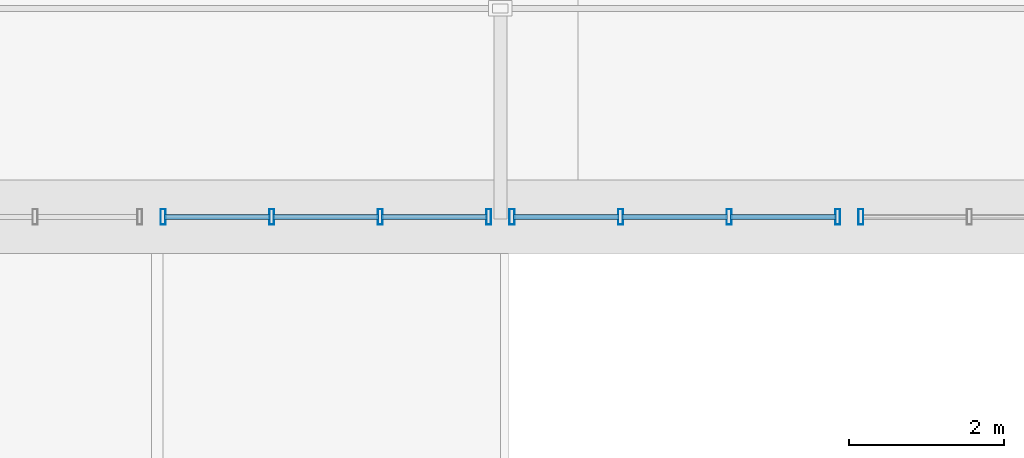
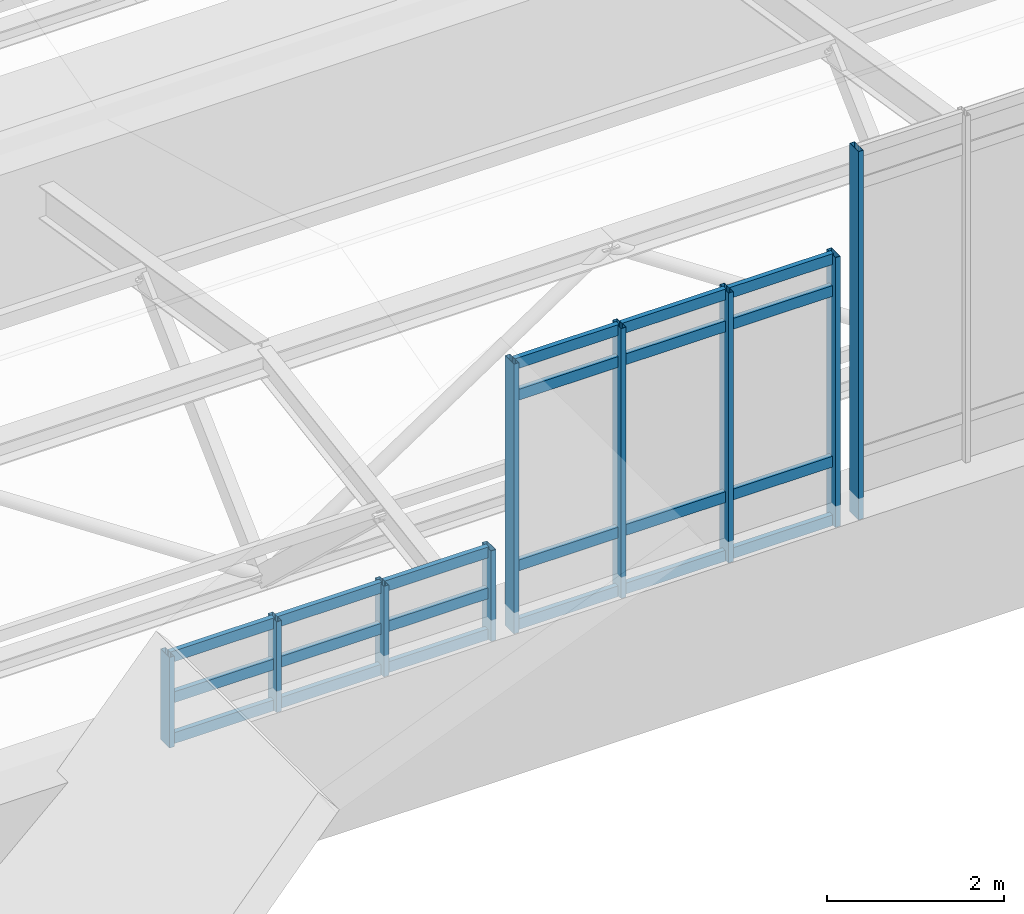
# One storey, part 48 of 82: 30 members, 3 elements without a shape of their own.
"""IFC4 building model written with IfcOpenShell, lengths in metres."""

from ifc_helpers import new_model, si_unit, direction, frame, origin, origin_2d, place, context, subcontext, project, spatial, hollow_rectangle, extrude, material, layer, layer_set, material_profile, profile_set, type_object, element, aggregate, save


model = new_model("IFC4")

# Units and contexts
model_context = context("Model", 3, precision=1e-05, world=origin(), true_north=direction((0.0, 1.0)))
body_context = subcontext(model_context, "Body", "Model", "MODEL_VIEW")
ifc_project = project(units=[si_unit("LENGTHUNIT", "METRE"), si_unit("AREAUNIT", "SQUARE_METRE"), si_unit("VOLUMEUNIT", "CUBIC_METRE"), si_unit("PLANEANGLEUNIT", "RADIAN"), si_unit("MASSUNIT", "GRAM", prefix="KILO")], contexts=[model_context])

# Site, building, storey
site_placement = place(None, origin())
site = spatial("IfcSite", under=ifc_project, at=site_placement, CompositionType="ELEMENT")
building_placement = place(site_placement, origin())
building = spatial("IfcBuilding", under=site, at=building_placement, Name="Mersad Railyard Sports Hall", CompositionType="ELEMENT")
storey_placement = place(building_placement, frame((0.0, 0.0, 13.199951171875)))
storey = spatial("IfcBuildingStorey", under=building, at=storey_placement, Name="L03", CompositionType="ELEMENT", Elevation=13.199951171875)

# Curtain wall, members
ifc_material = material(Name="Aluminium 6063-T6", Category="aluminium")
ifc_layer_1 = layer(ifc_material, 0.199951171875)
ifc_layer_set_1 = layer_set([ifc_layer_1], Name="Aluminium 6063-T6")
curtain_wall_type_1 = type_object("IfcCurtainWallType", Name="ARC-CW-CW43", PredefinedType="USERDEFINED", material=ifc_layer_set_1)
curtain_wall_1_placement = place(storey_placement, origin())
curtain_wall_1 = element("IfcCurtainWall", 1, at=curtain_wall_1_placement, inside=storey, type_object=curtain_wall_type_1, Name="Curtain wall CW43-0115", ObjectType="CURTAIN WALL", PredefinedType="USERDEFINED")
ifc_material_profile_1 = material_profile(ifc_material, hollow_rectangle(XDim=0.06494140625, YDim=0.199951171875, WallThickness=0.0048828125, at=origin_2d()), Name="AL MULLION 65x200x5")
ifc_profile_set_1 = profile_set([ifc_material_profile_1], Name="Aluminium 6063-T6")
member_type_1 = type_object("IfcMemberType", Name="ARC-CW-MUL02", PredefinedType="MULLION", material=ifc_profile_set_1)
member_1_placement = place(storey_placement, frame((141.64990234375, 73.5, 1.330078125), z_axis=(0.0, 0.0, 1.0), x_axis=(1.0, 0.0, 0.0)))
member_1 = element("IfcMember", 2, at=member_1_placement, type_object=member_type_1, Name="CW43 Mullion 1", PredefinedType="MULLION", context=body_context, shape_type="SweptSolid", body=[
    extrude(hollow_rectangle(XDim=0.06494140625, YDim=0.199951171875, WallThickness=0.0048828125, at=origin_2d()), origin(), (0.0, 0.0, 1.0), 1.251953125),
])
member_2_placement = place(storey_placement, frame((143.050048828125, 73.5, 1.330078125), z_axis=(0.0, 0.0, 1.0), x_axis=(1.0, 0.0, 0.0)))
member_2 = element("IfcMember", 3, at=member_2_placement, type_object=member_type_1, Name="CW43 Mullion 2", PredefinedType="MULLION", context=body_context, shape_type="SweptSolid", body=[
    extrude(hollow_rectangle(XDim=0.06494140625, YDim=0.199951171875, WallThickness=0.0048828125, at=origin_2d()), origin(), (0.0, 0.0, 1.0), 1.251953125),
])
member_3_placement = place(storey_placement, frame((144.449951171875, 73.5, 1.330078125), z_axis=(0.0, 0.0, 1.0), x_axis=(1.0, 0.0, 0.0)))
member_3 = element("IfcMember", 4, at=member_3_placement, type_object=member_type_1, Name="CW43 Mullion 3", PredefinedType="MULLION", context=body_context, shape_type="SweptSolid", body=[
    extrude(hollow_rectangle(XDim=0.06494140625, YDim=0.199951171875, WallThickness=0.0048828125, at=origin_2d()), origin(), (0.0, 0.0, 1.0), 1.251953125),
])
member_4_placement = place(storey_placement, frame((145.85009765625, 73.5, 1.330078125), z_axis=(0.0, 0.0, 1.0), x_axis=(1.0, 0.0, 0.0)))
member_4 = element("IfcMember", 5, at=member_4_placement, type_object=member_type_1, Name="CW43 Mullion 4", PredefinedType="MULLION", context=body_context, shape_type="SweptSolid", body=[
    extrude(hollow_rectangle(XDim=0.06494140625, YDim=0.199951171875, WallThickness=0.0048828125, at=origin_2d()), origin(), (0.0, 0.0, 1.0), 1.251953125),
])

ifc_layer_2 = layer(ifc_material, 0.199951171875)
ifc_layer_set_2 = layer_set([ifc_layer_2], Name="Aluminium 6063-T6")
curtain_wall_type_2 = type_object("IfcCurtainWallType", Name="ARC-CW-CW45", PredefinedType="USERDEFINED", material=ifc_layer_set_2)
curtain_wall_2_placement = place(storey_placement, origin())
curtain_wall_2 = element("IfcCurtainWall", 6, at=curtain_wall_2_placement, inside=storey, type_object=curtain_wall_type_2, Name="Curtain wall CW45-0117", ObjectType="CURTAIN WALL", PredefinedType="USERDEFINED")
member_5_placement = place(storey_placement, frame((146.14990234375, 73.5, 1.330078125), z_axis=(0.0, 0.0, 1.0), x_axis=(1.0, 0.0, 0.0)))
member_5 = element("IfcMember", 7, at=member_5_placement, type_object=member_type_1, Name="CW45 Mullion 1", PredefinedType="MULLION", context=body_context, shape_type="SweptSolid", body=[
    extrude(hollow_rectangle(XDim=0.06494140625, YDim=0.199951171875, WallThickness=0.0048828125, at=origin_2d()), origin(), (0.0, 0.0, 1.0), 3.72705078125),
])
member_6_placement = place(storey_placement, frame((147.550048828125, 73.5, 1.330078125), z_axis=(0.0, 0.0, 1.0), x_axis=(1.0, 0.0, 0.0)))
member_6 = element("IfcMember", 8, at=member_6_placement, type_object=member_type_1, Name="CW45 Mullion 2", PredefinedType="MULLION", context=body_context, shape_type="SweptSolid", body=[
    extrude(hollow_rectangle(XDim=0.06494140625, YDim=0.199951171875, WallThickness=0.0048828125, at=origin_2d()), origin(), (0.0, 0.0, 1.0), 3.72705078125),
])
member_7_placement = place(storey_placement, frame((148.949951171875, 73.5, 1.330078125), z_axis=(0.0, 0.0, 1.0), x_axis=(1.0, 0.0, 0.0)))
member_7 = element("IfcMember", 9, at=member_7_placement, type_object=member_type_1, Name="CW45 Mullion 3", PredefinedType="MULLION", context=body_context, shape_type="SweptSolid", body=[
    extrude(hollow_rectangle(XDim=0.06494140625, YDim=0.199951171875, WallThickness=0.0048828125, at=origin_2d()), origin(), (0.0, 0.0, 1.0), 3.72705078125),
])
member_8_placement = place(storey_placement, frame((150.35009765625, 73.5, 1.330078125), z_axis=(0.0, 0.0, 1.0), x_axis=(1.0, 0.0, 0.0)))
member_8 = element("IfcMember", 10, at=member_8_placement, type_object=member_type_1, Name="CW45 Mullion 4", PredefinedType="MULLION", context=body_context, shape_type="SweptSolid", body=[
    extrude(hollow_rectangle(XDim=0.06494140625, YDim=0.199951171875, WallThickness=0.0048828125, at=origin_2d()), origin(), (0.0, 0.0, 1.0), 3.72705078125),
])

# Curtain wall, member
ifc_layer_3 = layer(ifc_material, 0.199951171875)
ifc_layer_set_3 = layer_set([ifc_layer_3], Name="Aluminium 6063-T6")
curtain_wall_type_3 = type_object("IfcCurtainWallType", Name="ARC-CW-CW47", PredefinedType="USERDEFINED", material=ifc_layer_set_3)
curtain_wall_3_placement = place(storey_placement, origin())
curtain_wall_3 = element("IfcCurtainWall", 11, at=curtain_wall_3_placement, inside=storey, type_object=curtain_wall_type_3, Name="Curtain wall CW47-0119", ObjectType="CURTAIN WALL", PredefinedType="USERDEFINED")
member_9_placement = place(storey_placement, frame((150.64990234375, 73.5, 1.330078125), z_axis=(0.0, 0.0, 1.0), x_axis=(1.0, 0.0, 0.0)))
member_9 = element("IfcMember", 12, at=member_9_placement, type_object=member_type_1, Name="CW47 Mullion 1", PredefinedType="MULLION", context=body_context, shape_type="SweptSolid", body=[
    extrude(hollow_rectangle(XDim=0.06494140625, YDim=0.199951171875, WallThickness=0.0048828125, at=origin_2d()), origin(), (0.0, 0.0, 1.0), 5.0849609375),
])
aggregate(curtain_wall_3, [member_9])

# Member
ifc_material_profile_2 = material_profile(ifc_material, hollow_rectangle(XDim=0.06494140625, YDim=0.14990234375, WallThickness=0.00439453125, at=origin_2d()), Name="AL TRANSOM 65x150x4.5")
ifc_profile_set_2 = profile_set([ifc_material_profile_2], Name="Aluminium 6063-T6")
member_type_2 = type_object("IfcMemberType", Name="ARC-CW-TRN02", PredefinedType="USERDEFINED", material=ifc_profile_set_2)
member_10_placement = place(storey_placement, frame((141.669921875, 73.5, 1.39013671875), z_axis=(1.0, 0.0, 0.0), x_axis=(0.0, 1.0, 0.0)))
member_10 = element("IfcMember", 13, at=member_10_placement, type_object=member_type_2, Name="CW43 Transom 1-1", ObjectType="TRANSOM", PredefinedType="USERDEFINED", context=body_context, shape_type="SweptSolid", body=[
    extrude(hollow_rectangle(XDim=0.06494140625, YDim=0.14990234375, WallThickness=0.00439453125, at=origin_2d()), origin(), (0.0, 0.0, 1.0), 1.360107421875),
])

member_11_placement = place(storey_placement, frame((143.070068359375, 73.5, 1.39013671875), z_axis=(1.0, 0.0, 0.0), x_axis=(0.0, 1.0, 0.0)))
member_11 = element("IfcMember", 14, at=member_11_placement, type_object=member_type_2, Name="CW43 Transom 1-2", ObjectType="TRANSOM", PredefinedType="USERDEFINED", context=body_context, shape_type="SweptSolid", body=[
    extrude(hollow_rectangle(XDim=0.06494140625, YDim=0.14990234375, WallThickness=0.00439453125, at=origin_2d()), origin(), (0.0, 0.0, 1.0), 1.35986328125),
])

member_12_placement = place(storey_placement, frame((144.469970703125, 73.5, 1.39013671875), z_axis=(1.0, 0.0, 0.0), x_axis=(0.0, 1.0, 0.0)))
member_12 = element("IfcMember", 15, at=member_12_placement, type_object=member_type_2, Name="CW43 Transom 1-3", ObjectType="TRANSOM", PredefinedType="USERDEFINED", context=body_context, shape_type="SweptSolid", body=[
    extrude(hollow_rectangle(XDim=0.06494140625, YDim=0.14990234375, WallThickness=0.00439453125, at=origin_2d()), origin(), (0.0, 0.0, 1.0), 1.360107421875),
])

member_13_placement = place(storey_placement, frame((141.669921875, 73.5, 1.9560546875), z_axis=(1.0, 0.0, 0.0), x_axis=(0.0, 1.0, 0.0)))
member_13 = element("IfcMember", 16, at=member_13_placement, type_object=member_type_2, Name="CW43 Transom 2-1", ObjectType="TRANSOM", PredefinedType="USERDEFINED", context=body_context, shape_type="SweptSolid", body=[
    extrude(hollow_rectangle(XDim=0.06494140625, YDim=0.14990234375, WallThickness=0.00439453125, at=origin_2d()), origin(), (0.0, 0.0, 1.0), 1.360107421875),
])

member_14_placement = place(storey_placement, frame((143.070068359375, 73.5, 1.9560546875), z_axis=(1.0, 0.0, 0.0), x_axis=(0.0, 1.0, 0.0)))
member_14 = element("IfcMember", 17, at=member_14_placement, type_object=member_type_2, Name="CW43 Transom 2-2", ObjectType="TRANSOM", PredefinedType="USERDEFINED", context=body_context, shape_type="SweptSolid", body=[
    extrude(hollow_rectangle(XDim=0.06494140625, YDim=0.14990234375, WallThickness=0.00439453125, at=origin_2d()), origin(), (0.0, 0.0, 1.0), 1.35986328125),
])

member_15_placement = place(storey_placement, frame((144.469970703125, 73.5, 1.9560546875), z_axis=(1.0, 0.0, 0.0), x_axis=(0.0, 1.0, 0.0)))
member_15 = element("IfcMember", 18, at=member_15_placement, type_object=member_type_2, Name="CW43 Transom 2-3", ObjectType="TRANSOM", PredefinedType="USERDEFINED", context=body_context, shape_type="SweptSolid", body=[
    extrude(hollow_rectangle(XDim=0.06494140625, YDim=0.14990234375, WallThickness=0.00439453125, at=origin_2d()), origin(), (0.0, 0.0, 1.0), 1.360107421875),
])

member_16_placement = place(storey_placement, frame((141.669921875, 73.5, 2.52197265625), z_axis=(1.0, 0.0, 0.0), x_axis=(0.0, 1.0, 0.0)))
member_16 = element("IfcMember", 19, at=member_16_placement, type_object=member_type_2, Name="CW43 Transom 3-1", ObjectType="TRANSOM", PredefinedType="USERDEFINED", context=body_context, shape_type="SweptSolid", body=[
    extrude(hollow_rectangle(XDim=0.06494140625, YDim=0.14990234375, WallThickness=0.00439453125, at=origin_2d()), origin(), (0.0, 0.0, 1.0), 1.360107421875),
])

member_17_placement = place(storey_placement, frame((143.070068359375, 73.5, 2.52197265625), z_axis=(1.0, 0.0, 0.0), x_axis=(0.0, 1.0, 0.0)))
member_17 = element("IfcMember", 20, at=member_17_placement, type_object=member_type_2, Name="CW43 Transom 3-2", ObjectType="TRANSOM", PredefinedType="USERDEFINED", context=body_context, shape_type="SweptSolid", body=[
    extrude(hollow_rectangle(XDim=0.06494140625, YDim=0.14990234375, WallThickness=0.00439453125, at=origin_2d()), origin(), (0.0, 0.0, 1.0), 1.35986328125),
])

member_18_placement = place(storey_placement, frame((144.469970703125, 73.5, 2.52197265625), z_axis=(1.0, 0.0, 0.0), x_axis=(0.0, 1.0, 0.0)))
member_18 = element("IfcMember", 21, at=member_18_placement, type_object=member_type_2, Name="CW43 Transom 3-3", ObjectType="TRANSOM", PredefinedType="USERDEFINED", context=body_context, shape_type="SweptSolid", body=[
    extrude(hollow_rectangle(XDim=0.06494140625, YDim=0.14990234375, WallThickness=0.00439453125, at=origin_2d()), origin(), (0.0, 0.0, 1.0), 1.360107421875),
])

aggregate(curtain_wall_1, [member_1, member_2, member_3, member_4, member_10, member_11, member_12, member_13, member_14, member_15, member_16, member_17, member_18])

member_19_placement = place(storey_placement, frame((146.169921875, 73.5, 1.39013671875), z_axis=(1.0, 0.0, 0.0), x_axis=(0.0, 1.0, 0.0)))
member_19 = element("IfcMember", 22, at=member_19_placement, type_object=member_type_2, Name="CW45 Transom 1-1", ObjectType="TRANSOM", PredefinedType="USERDEFINED", context=body_context, shape_type="SweptSolid", body=[
    extrude(hollow_rectangle(XDim=0.06494140625, YDim=0.14990234375, WallThickness=0.00439453125, at=origin_2d()), origin(), (0.0, 0.0, 1.0), 1.360107421875),
])

member_20_placement = place(storey_placement, frame((147.570068359375, 73.5, 1.39013671875), z_axis=(1.0, 0.0, 0.0), x_axis=(0.0, 1.0, 0.0)))
member_20 = element("IfcMember", 23, at=member_20_placement, type_object=member_type_2, Name="CW45 Transom 1-2", ObjectType="TRANSOM", PredefinedType="USERDEFINED", context=body_context, shape_type="SweptSolid", body=[
    extrude(hollow_rectangle(XDim=0.06494140625, YDim=0.14990234375, WallThickness=0.00439453125, at=origin_2d()), origin(), (0.0, 0.0, 1.0), 1.35986328125),
])

member_21_placement = place(storey_placement, frame((148.969970703125, 73.5, 1.39013671875), z_axis=(1.0, 0.0, 0.0), x_axis=(0.0, 1.0, 0.0)))
member_21 = element("IfcMember", 24, at=member_21_placement, type_object=member_type_2, Name="CW45 Transom 1-3", ObjectType="TRANSOM", PredefinedType="USERDEFINED", context=body_context, shape_type="SweptSolid", body=[
    extrude(hollow_rectangle(XDim=0.06494140625, YDim=0.14990234375, WallThickness=0.00439453125, at=origin_2d()), origin(), (0.0, 0.0, 1.0), 1.360107421875),
])

member_22_placement = place(storey_placement, frame((146.169921875, 73.5, 2.199951171875), z_axis=(1.0, 0.0, 0.0), x_axis=(0.0, 1.0, 0.0)))
member_22 = element("IfcMember", 25, at=member_22_placement, type_object=member_type_2, Name="CW45 Transom 2-1", ObjectType="TRANSOM", PredefinedType="USERDEFINED", context=body_context, shape_type="SweptSolid", body=[
    extrude(hollow_rectangle(XDim=0.06494140625, YDim=0.14990234375, WallThickness=0.00439453125, at=origin_2d()), origin(), (0.0, 0.0, 1.0), 1.360107421875),
])

member_23_placement = place(storey_placement, frame((147.570068359375, 73.5, 2.199951171875), z_axis=(1.0, 0.0, 0.0), x_axis=(0.0, 1.0, 0.0)))
member_23 = element("IfcMember", 26, at=member_23_placement, type_object=member_type_2, Name="CW45 Transom 2-2", ObjectType="TRANSOM", PredefinedType="USERDEFINED", context=body_context, shape_type="SweptSolid", body=[
    extrude(hollow_rectangle(XDim=0.06494140625, YDim=0.14990234375, WallThickness=0.00439453125, at=origin_2d()), origin(), (0.0, 0.0, 1.0), 1.35986328125),
])

member_24_placement = place(storey_placement, frame((148.969970703125, 73.5, 2.199951171875), z_axis=(1.0, 0.0, 0.0), x_axis=(0.0, 1.0, 0.0)))
member_24 = element("IfcMember", 27, at=member_24_placement, type_object=member_type_2, Name="CW45 Transom 2-3", ObjectType="TRANSOM", PredefinedType="USERDEFINED", context=body_context, shape_type="SweptSolid", body=[
    extrude(hollow_rectangle(XDim=0.06494140625, YDim=0.14990234375, WallThickness=0.00439453125, at=origin_2d()), origin(), (0.0, 0.0, 1.0), 1.360107421875),
])

member_25_placement = place(storey_placement, frame((146.169921875, 73.5, 4.55712890625), z_axis=(1.0, 0.0, 0.0), x_axis=(0.0, 1.0, 0.0)))
member_25 = element("IfcMember", 28, at=member_25_placement, type_object=member_type_2, Name="CW45 Transom 3-1", ObjectType="TRANSOM", PredefinedType="USERDEFINED", context=body_context, shape_type="SweptSolid", body=[
    extrude(hollow_rectangle(XDim=0.06494140625, YDim=0.14990234375, WallThickness=0.00439453125, at=origin_2d()), origin(), (0.0, 0.0, 1.0), 1.360107421875),
])

member_26_placement = place(storey_placement, frame((147.570068359375, 73.5, 4.55712890625), z_axis=(1.0, 0.0, 0.0), x_axis=(0.0, 1.0, 0.0)))
member_26 = element("IfcMember", 29, at=member_26_placement, type_object=member_type_2, Name="CW45 Transom 3-2", ObjectType="TRANSOM", PredefinedType="USERDEFINED", context=body_context, shape_type="SweptSolid", body=[
    extrude(hollow_rectangle(XDim=0.06494140625, YDim=0.14990234375, WallThickness=0.00439453125, at=origin_2d()), origin(), (0.0, 0.0, 1.0), 1.35986328125),
])

member_27_placement = place(storey_placement, frame((148.969970703125, 73.5, 4.55712890625), z_axis=(1.0, 0.0, 0.0), x_axis=(0.0, 1.0, 0.0)))
member_27 = element("IfcMember", 30, at=member_27_placement, type_object=member_type_2, Name="CW45 Transom 3-3", ObjectType="TRANSOM", PredefinedType="USERDEFINED", context=body_context, shape_type="SweptSolid", body=[
    extrude(hollow_rectangle(XDim=0.06494140625, YDim=0.14990234375, WallThickness=0.00439453125, at=origin_2d()), origin(), (0.0, 0.0, 1.0), 1.360107421875),
])

member_28_placement = place(storey_placement, frame((146.169921875, 73.5, 4.9970703125), z_axis=(1.0, 0.0, 0.0), x_axis=(0.0, 1.0, 0.0)))
member_28 = element("IfcMember", 31, at=member_28_placement, type_object=member_type_2, Name="CW45 Transom 4-1", ObjectType="TRANSOM", PredefinedType="USERDEFINED", context=body_context, shape_type="SweptSolid", body=[
    extrude(hollow_rectangle(XDim=0.06494140625, YDim=0.14990234375, WallThickness=0.00439453125, at=origin_2d()), origin(), (0.0, 0.0, 1.0), 1.360107421875),
])

member_29_placement = place(storey_placement, frame((147.570068359375, 73.5, 4.9970703125), z_axis=(1.0, 0.0, 0.0), x_axis=(0.0, 1.0, 0.0)))
member_29 = element("IfcMember", 32, at=member_29_placement, type_object=member_type_2, Name="CW45 Transom 4-2", ObjectType="TRANSOM", PredefinedType="USERDEFINED", context=body_context, shape_type="SweptSolid", body=[
    extrude(hollow_rectangle(XDim=0.06494140625, YDim=0.14990234375, WallThickness=0.00439453125, at=origin_2d()), origin(), (0.0, 0.0, 1.0), 1.35986328125),
])

member_30_placement = place(storey_placement, frame((148.969970703125, 73.5, 4.9970703125), z_axis=(1.0, 0.0, 0.0), x_axis=(0.0, 1.0, 0.0)))
member_30 = element("IfcMember", 33, at=member_30_placement, type_object=member_type_2, Name="CW45 Transom 4-3", ObjectType="TRANSOM", PredefinedType="USERDEFINED", context=body_context, shape_type="SweptSolid", body=[
    extrude(hollow_rectangle(XDim=0.06494140625, YDim=0.14990234375, WallThickness=0.00439453125, at=origin_2d()), origin(), (0.0, 0.0, 1.0), 1.360107421875),
])

aggregate(curtain_wall_2, [member_5, member_6, member_7, member_8, member_19, member_20, member_21, member_22, member_23, member_24, member_25, member_26, member_27, member_28, member_29, member_30])

save(model, "model.ifc")
